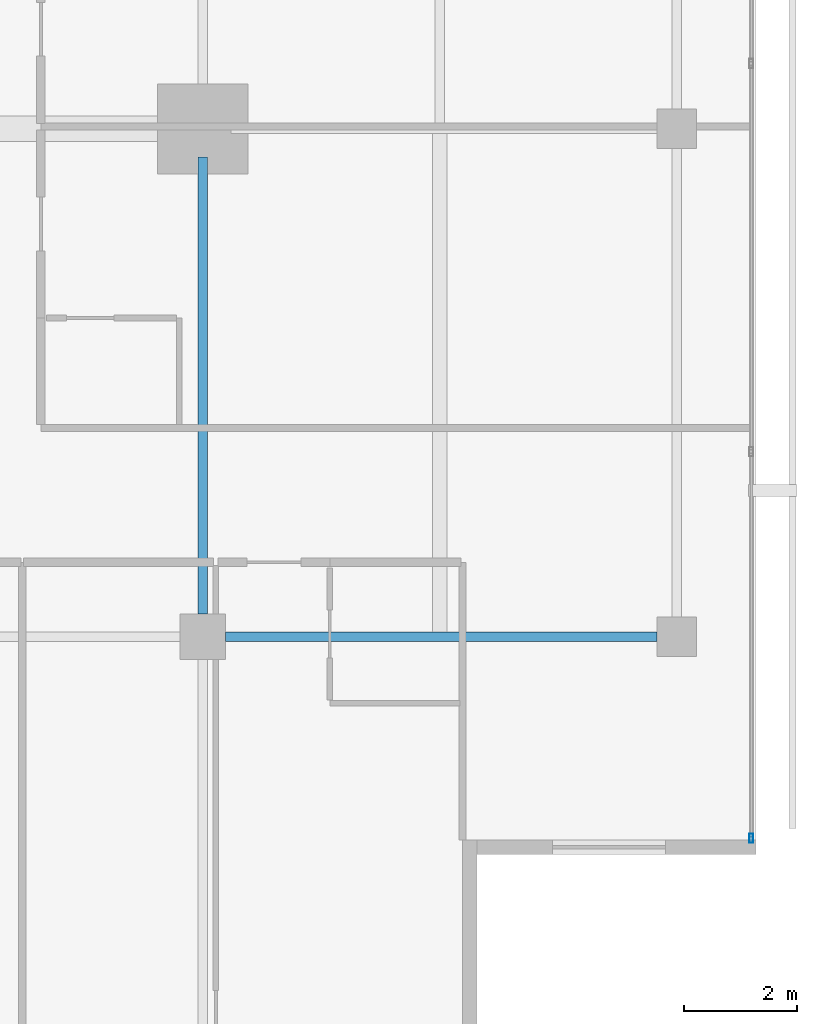
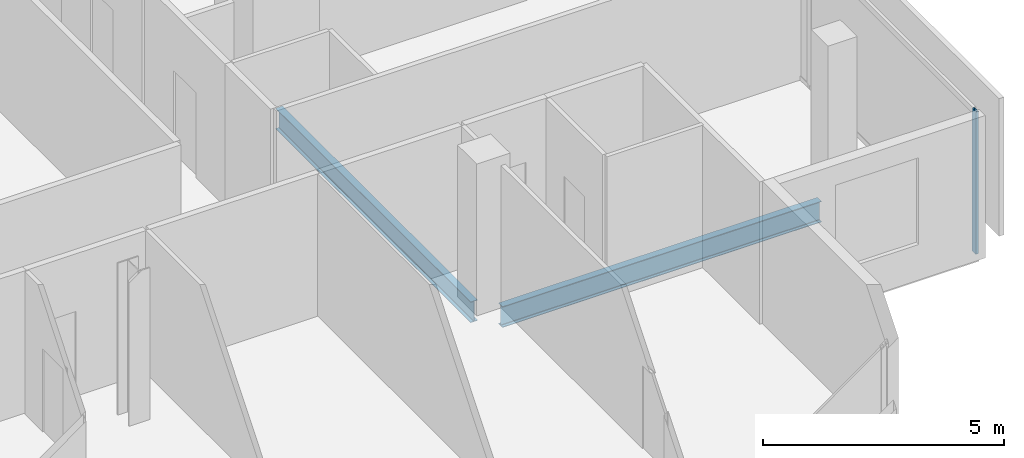
# One storey, part 11 of 25: 2 beams, 1 member, 1 element without a shape of its own.
"""IFC4 building model written with IfcOpenShell, lengths in metres."""

from ifc_helpers import new_model, si_unit, direction, frame, origin, origin_2d, place, context, subcontext, project, spatial, hollow_rectangle, i_section, extrude, material, layer, layer_set, material_profile, profile_set, type_object, element, aggregate, save


model = new_model("IFC4")

# Units and contexts
model_context = context("Model", 3, precision=1e-05, world=origin(), true_north=direction((0.0, 1.0)))
body_context = subcontext(model_context, "Body", "Model", "MODEL_VIEW")
ifc_project = project(units=[si_unit("LENGTHUNIT", "METRE"), si_unit("AREAUNIT", "SQUARE_METRE"), si_unit("VOLUMEUNIT", "CUBIC_METRE"), si_unit("PLANEANGLEUNIT", "RADIAN"), si_unit("MASSUNIT", "GRAM", prefix="KILO")], contexts=[model_context])

# Site, building, storey
site_placement = place(None, origin())
site = spatial("IfcSite", under=ifc_project, at=site_placement, CompositionType="ELEMENT")
building_placement = place(site_placement, origin())
building = spatial("IfcBuilding", under=site, at=building_placement, Name="Maruvema Waterfront Hotel and Observation Tower", CompositionType="ELEMENT")
storey_placement = place(building_placement, frame((0.0, 0.0, 308.699951171875)))
storey = spatial("IfcBuildingStorey", under=building, at=storey_placement, Name="L76", CompositionType="ELEMENT", Elevation=308.699951171875)

# Curtain wall, member
ifc_material_1 = material(Name="Anodised bronze aluminium and solar-control low-E IGU", Category="aluminium")
ifc_layer = layer(ifc_material_1, 0.159912109375, Name="Zone 3 Champagne Inner Thermal Curtain Wall System CW-04")
ifc_layer_set = layer_set([ifc_layer], Name="Anodised bronze aluminium and solar-control low-E IGU")
curtain_wall_type = type_object("IfcCurtainWallType", Name="Zone 3 Champagne Inner Thermal Curtain Wall System CW-04", PredefinedType="USERDEFINED", material=ifc_layer_set)
curtain_wall_placement = place(storey_placement, origin())
curtain_wall = element("IfcCurtainWall", 1, at=curtain_wall_placement, inside=storey, type_object=curtain_wall_type, Name="L76 Curtain Wall CW-L76-E", ObjectType="UNITISED CURTAIN WALL", PredefinedType="USERDEFINED")
ifc_material_2 = material(Name="Anodised architectural bronze aluminium", Category="aluminium")
ifc_material_profile_1 = material_profile(ifc_material_2, hollow_rectangle(XDim=0.06494140625, YDim=0.1650390625, WallThickness=0.00390625, at=origin_2d()), Name="ALU-M65x165")
ifc_profile_set_1 = profile_set([ifc_material_profile_1], Name="Anodised architectural bronze aluminium")
member_type = type_object("IfcMemberType", Name="Curtain Wall Primary Mullion ALU-M65x165", PredefinedType="MULLION", material=ifc_profile_set_1)
member_placement = place(storey_placement, frame((60.1201171875, 14.429931640625, 0.0), z_axis=(0.0, 0.0, 1.0), x_axis=(-1.0, 0.0, 0.0)))
member = element("IfcMember", 2, at=member_placement, type_object=member_type, Name="CW-04 mullion 1", PredefinedType="MULLION", context=body_context, shape_type="SweptSolid", body=[
    extrude(hollow_rectangle(XDim=0.06494140625, YDim=0.1650390625, WallThickness=0.00390625, at=origin_2d()), origin(), (0.0, 0.0, 1.0), 3.610107421875),
])
aggregate(curtain_wall, [member])

# Beams
ifc_material_3 = material(Name="Steel ASTM A572 Grade 50", Category="steel")
ifc_material_profile_2 = material_profile(ifc_material_3, i_section(OverallWidth=0.166015625, OverallDepth=0.529052734375, WebThickness=0.009765625, FlangeThickness=0.013671875, FilletRadius=0.014892578125, at=origin_2d()), Name="W530x74.0")
ifc_profile_set_2 = profile_set([ifc_material_profile_2], Name="Steel ASTM A572 Grade 50")
beam_type = type_object("IfcBeamType", Name="Primary Floor Girder W530x74.0", PredefinedType="BEAM", material=ifc_profile_set_2)
beam_1_placement = place(storey_placement, frame((50.800048828125, 18.0, -0.50439453125), z_axis=(1.0, 0.0, 0.0), x_axis=(0.0, 1.0, 0.0)))
element("IfcBeam", 3, at=beam_1_placement, inside=storey, type_object=beam_type, Name="L76 Floor Girder EW-08", PredefinedType="BEAM", context=body_context, shape_type="SweptSolid", body=[
    extrude(i_section(OverallWidth=0.166015625, OverallDepth=0.529052734375, WebThickness=0.009765625, FlangeThickness=0.013671875, FilletRadius=0.014892578125, at=origin_2d()), origin(), (0.0, 0.0, 1.0), 7.64990234375),
])
beam_2_placement = place(storey_placement, frame((50.39990234375, 18.39990234375, -0.50439453125), z_axis=(0.0, 1.0, 0.0), x_axis=(-1.0, 0.0, 0.0)))
element("IfcBeam", 4, at=beam_2_placement, inside=storey, type_object=beam_type, Name="L76 Floor Girder NS-13", PredefinedType="BEAM", context=body_context, shape_type="SweptSolid", body=[
    extrude(i_section(OverallWidth=0.166015625, OverallDepth=0.529052734375, WebThickness=0.009765625, FlangeThickness=0.013671875, FilletRadius=0.014892578125, at=origin_2d()), origin(), (0.0, 0.0, 1.0), 8.10009765625),
])

save(model, "model.ifc")
